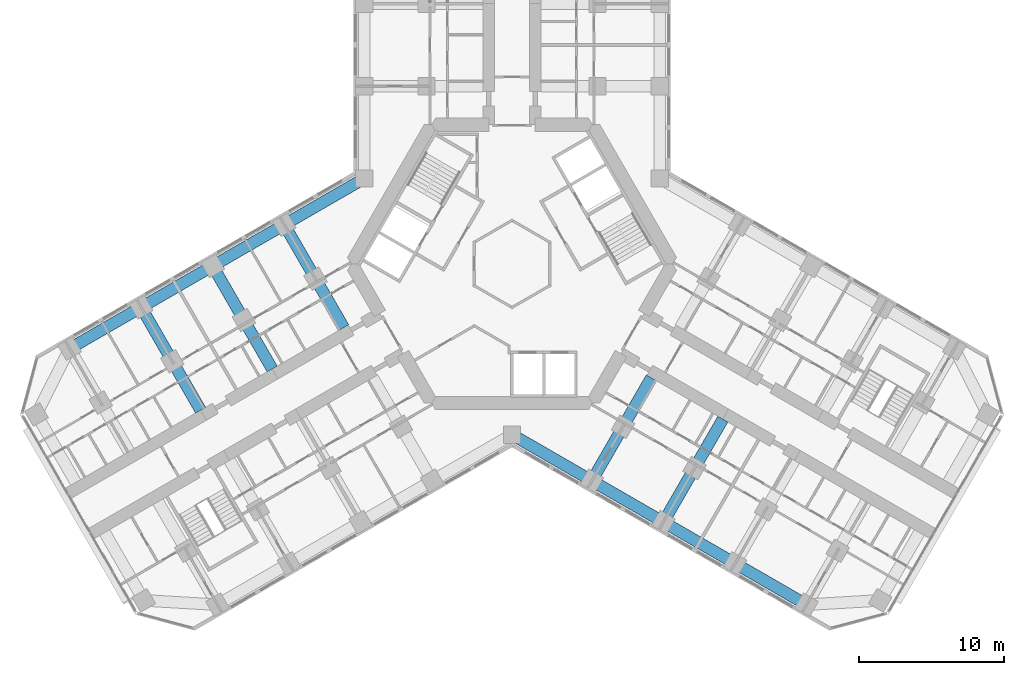
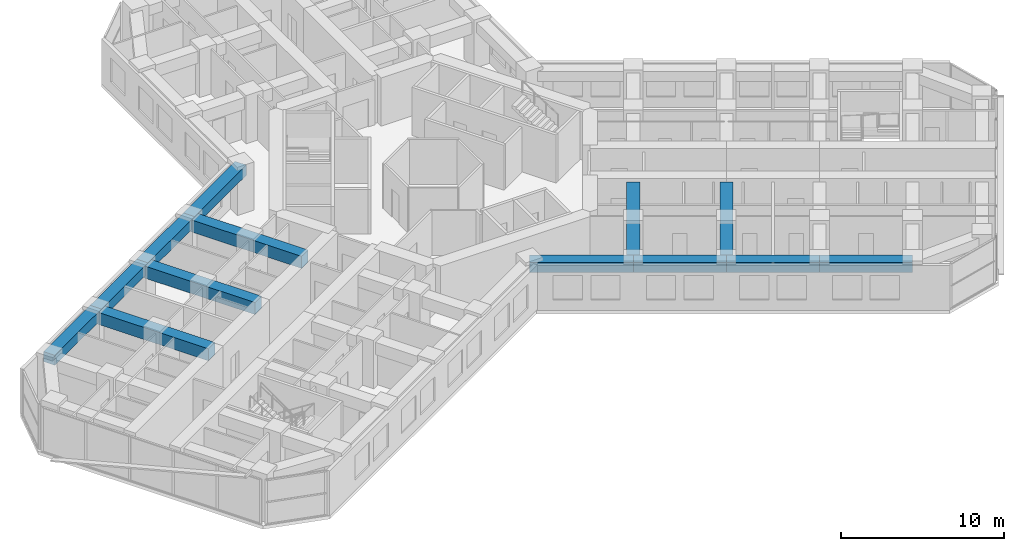
# One storey, part 4 of 20: 13 beams.
"""IFC4 building model written with IfcOpenShell, lengths in metres."""

from ifc_helpers import new_model, si_unit, direction, frame, origin, origin_2d, place, context, subcontext, project, spatial, rectangle, extrude, material, material_profile, profile_set, type_object, element, save


model = new_model("IFC4")

# Units and contexts
model_context = context("Model", 3, precision=1e-05, world=origin(), true_north=direction((0.0, 1.0)))
body_context = subcontext(model_context, "Body", "Model", "MODEL_VIEW")
ifc_project = project(units=[si_unit("LENGTHUNIT", "METRE"), si_unit("AREAUNIT", "SQUARE_METRE"), si_unit("VOLUMEUNIT", "CUBIC_METRE"), si_unit("PLANEANGLEUNIT", "RADIAN"), si_unit("MASSUNIT", "GRAM", prefix="KILO")], contexts=[model_context])

# Site, building, storey
site_placement = place(None, origin())
site = spatial("IfcSite", under=ifc_project, at=site_placement, CompositionType="ELEMENT")
building_placement = place(site_placement, origin())
building = spatial("IfcBuilding", under=site, at=building_placement, Name="Kosmar Iwan School Tower", CompositionType="ELEMENT")
storey_placement = place(building_placement, frame((0.0, 0.0, 123.800048828125)))
storey = spatial("IfcBuildingStorey", under=building, at=storey_placement, Name="L30", CompositionType="ELEMENT", Elevation=123.800048828125)

# Beams
ifc_material_1 = material(Name="Concrete C50/60", Category="concrete")
ifc_material_profile_1 = material_profile(ifc_material_1, rectangle(XDim=0.800048828125, YDim=0.75, at=origin_2d()), Name="RC 800x750")
ifc_profile_set_1 = profile_set([ifc_material_profile_1], Name="Concrete C50/60")
beam_type_1 = type_object("IfcBeamType", Name="RC edge beam 800x750", PredefinedType="BEAM", material=ifc_profile_set_1)
beam_1_placement = place(storey_placement, frame((-10.199951171875, 5.888916015625, 2.974853515625), z_axis=(-0.866030912664, -0.49999045822, 0.0), x_axis=(0.49999045822, -0.866030912664, 0.0)))
element("IfcBeam", 1, at=beam_1_placement, inside=storey, type_object=beam_type_1, Name="Edge beam BR1", PredefinedType="BEAM", context=body_context, shape_type="SweptSolid", body=[
    extrude(rectangle(XDim=0.800048828125, YDim=0.75, at=origin_2d()), origin(), (0.0, 0.0, 1.0), 6.36083984375),
])
beam_2_placement = place(storey_placement, frame((-15.708740234375, 2.70849609375, 2.974853515625), z_axis=(-0.866025820012, -0.499999279071, 0.0), x_axis=(0.499999279071, -0.866025820012, 0.0)))
element("IfcBeam", 2, at=beam_2_placement, inside=storey, type_object=beam_type_1, Name="Edge beam BR2", PredefinedType="BEAM", context=body_context, shape_type="SweptSolid", body=[
    extrude(rectangle(XDim=0.800048828125, YDim=0.75, at=origin_2d()), origin(), (0.0, 0.0, 1.0), 5.7001953125),
])
for number, where, z_axis, x_axis, name in (
    (3, (-20.645263671875, -0.1416015625, 2.974853515625), (-0.866033658841, -0.49998570155, 0.0), (0.49998570155, -0.866033658841, 0.0), "Edge beam BR3"),
    (4, (-25.58154296875, -2.991455078125, 2.974853515625), (-0.866015111908, -0.50001782563, 0.0), (0.50001782563, -0.866015111908, 0.0), "Edge beam BR4"),
):
    element("IfcBeam", number, at=place(storey_placement, frame(where, z_axis=z_axis, x_axis=x_axis)), inside=storey, type_object=beam_type_1, Name=name, PredefinedType="BEAM", context=body_context, shape_type="SweptSolid", body=[
        extrude(rectangle(XDim=0.800048828125, YDim=0.75, at=origin_2d()), origin(), (0.0, 0.0, 1.0), 5.699951171875),
    ])
beam_3_placement = place(storey_placement, frame((0.0, -11.77783203125, 2.974853515625), z_axis=(0.866014293216, -0.500019243575, 0.0), x_axis=(0.500019243575, 0.866014293216, 0.0)))
element("IfcBeam", 5, at=beam_3_placement, inside=storey, type_object=beam_type_1, Name="Edge beam CR1", PredefinedType="BEAM", context=body_context, shape_type="SweptSolid", body=[
    extrude(rectangle(XDim=0.800048828125, YDim=0.75, at=origin_2d()), origin(), (0.0, 0.0, 1.0), 6.361083984375),
])
beam_4_placement = place(storey_placement, frame((5.5087890625, -14.95849609375, 2.974853515625), z_axis=(0.866033658841, -0.49998570155, 0.0), x_axis=(0.49998570155, 0.866033658841, 0.0)))
element("IfcBeam", 6, at=beam_4_placement, inside=storey, type_object=beam_type_1, Name="Edge beam CR2", PredefinedType="BEAM", context=body_context, shape_type="SweptSolid", body=[
    extrude(rectangle(XDim=0.800048828125, YDim=0.75, at=origin_2d()), origin(), (0.0, 0.0, 1.0), 5.699951171875),
])
beam_5_placement = place(storey_placement, frame((10.445068359375, -17.808349609375, 2.974853515625), z_axis=(0.866025820012, -0.499999279071, 0.0), x_axis=(0.499999279071, 0.866025820012, 0.0)))
element("IfcBeam", 7, at=beam_5_placement, inside=storey, type_object=beam_type_1, Name="Edge beam CR3", PredefinedType="BEAM", context=body_context, shape_type="SweptSolid", body=[
    extrude(rectangle(XDim=0.800048828125, YDim=0.75, at=origin_2d()), origin(), (0.0, 0.0, 1.0), 5.7001953125),
])
beam_6_placement = place(storey_placement, frame((15.381591796875, -20.658447265625, 2.974853515625), z_axis=(0.866015111908, -0.50001782563, 0.0), x_axis=(0.50001782563, 0.866015111908, 0.0)))
element("IfcBeam", 8, at=beam_6_placement, inside=storey, type_object=beam_type_1, Name="Edge beam CR4", PredefinedType="BEAM", context=body_context, shape_type="SweptSolid", body=[
    extrude(rectangle(XDim=0.800048828125, YDim=0.75, at=origin_2d()), origin(), (0.0, 0.0, 1.0), 5.699951171875),
])
ifc_material_2 = material(Name="Concrete C50/60", Category="concrete")
ifc_material_profile_2 = material_profile(ifc_material_2, rectangle(XDim=0.800048828125, YDim=0.89990234375, at=origin_2d()), Name="RC 800x900")
ifc_profile_set_2 = profile_set([ifc_material_profile_2], Name="Concrete C50/60")
beam_type_2 = type_object("IfcBeamType", Name="RC transverse beam 800x900", PredefinedType="BEAM", material=ifc_profile_set_2)
for number, where, z_axis, x_axis, name in (
    (9, (-15.708740234375, 2.70849609375, 2.89990234375), (0.499978459874, -0.866037839625, 0.0), (0.866037839625, 0.499978459874, 0.0), "Transverse beam BR1"),
    (10, (-20.645263671875, -0.1416015625, 2.89990234375), (0.500013681986, -0.866017504342, 0.0), (0.866017504342, 0.500013681986, 0.0), "Transverse beam BR2"),
):
    element("IfcBeam", number, at=place(storey_placement, frame(where, z_axis=z_axis, x_axis=x_axis)), inside=storey, type_object=beam_type_2, Name=name, PredefinedType="BEAM", context=body_context, shape_type="SweptSolid", body=[
        extrude(rectangle(XDim=0.800048828125, YDim=0.89990234375, at=origin_2d()), origin(), (0.0, 0.0, 1.0), 8.199951171875),
    ])
for number, where, z_axis, x_axis, name in (
    (11, (-25.58154296875, -2.991455078125, 2.89990234375), (0.500000789788, -0.8660249478, 0.0), (0.8660249478, 0.500000789788, 0.0), "Transverse beam BR3"),
    (12, (5.5087890625, -14.95849609375, 2.89990234375), (0.500000789788, 0.8660249478, 0.0), (-0.8660249478, 0.500000789788, 0.0), "Transverse beam CR1"),
):
    element("IfcBeam", number, at=place(storey_placement, frame(where, z_axis=z_axis, x_axis=x_axis)), inside=storey, type_object=beam_type_2, Name=name, PredefinedType="BEAM", context=body_context, shape_type="SweptSolid", body=[
        extrude(rectangle(XDim=0.800048828125, YDim=0.89990234375, at=origin_2d()), origin(), (0.0, 0.0, 1.0), 8.2001953125),
    ])
beam_7_placement = place(storey_placement, frame((10.445068359375, -17.808349609375, 2.89990234375), z_axis=(0.500013681986, 0.866017504342, 0.0), x_axis=(-0.866017504342, 0.500013681986, 0.0)))
element("IfcBeam", 13, at=beam_7_placement, inside=storey, type_object=beam_type_2, Name="Transverse beam CR2", PredefinedType="BEAM", context=body_context, shape_type="SweptSolid", body=[
    extrude(rectangle(XDim=0.800048828125, YDim=0.89990234375, at=origin_2d()), origin(), (0.0, 0.0, 1.0), 8.199951171875),
])

save(model, "model.ifc")
